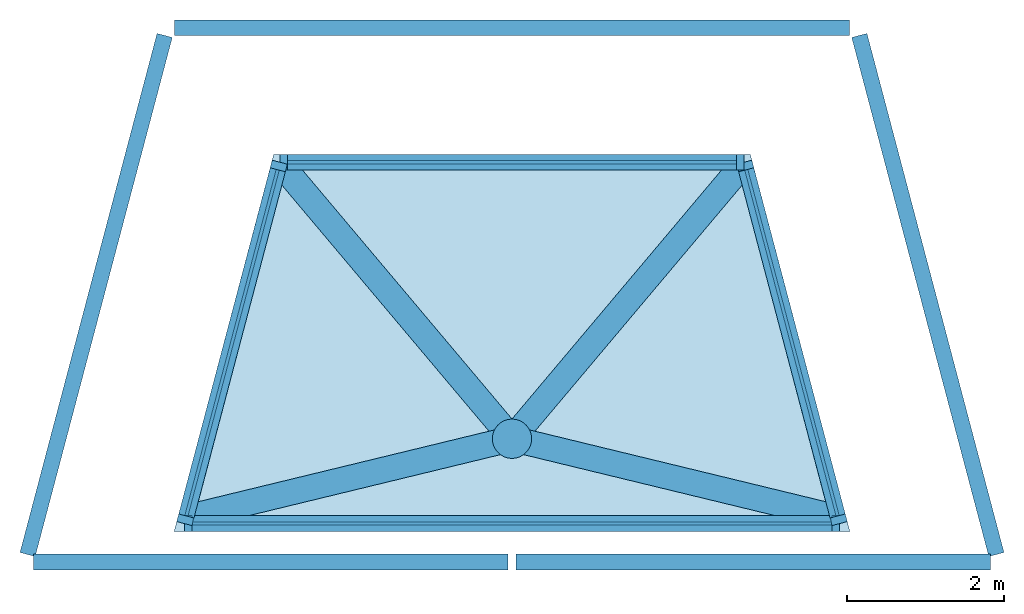
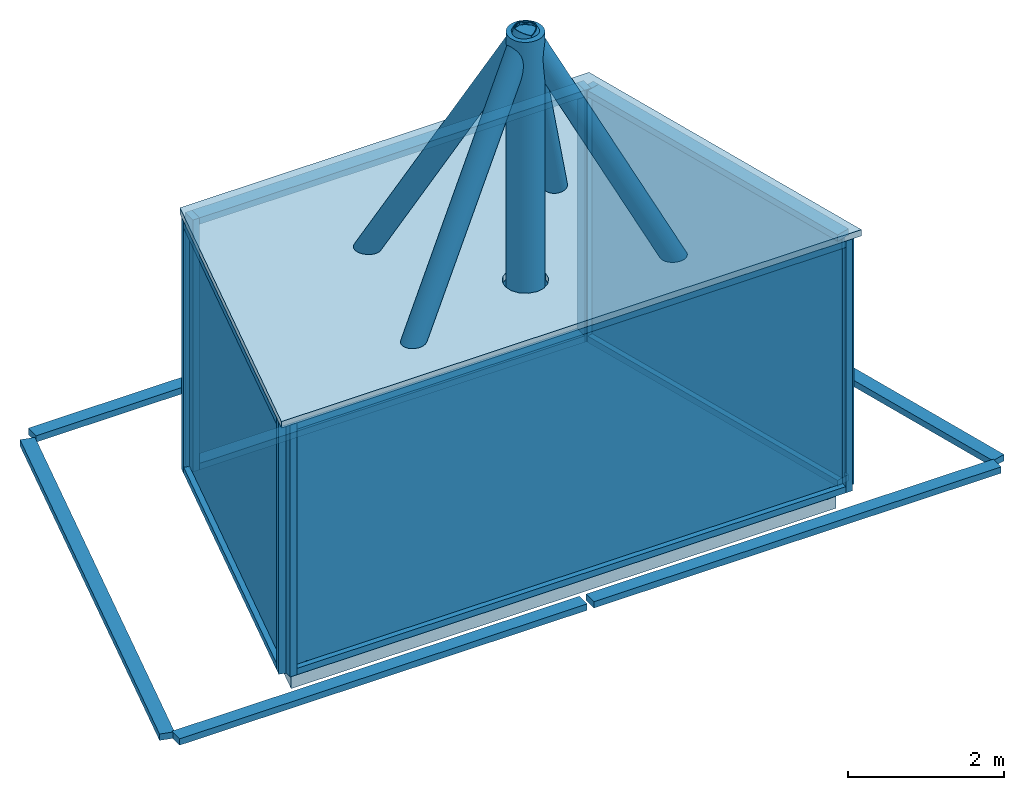
"""IFC4 building model written with IfcOpenShell, lengths in metres."""

from ifc_helpers import new_model, si_unit, direction, frame, origin, origin_2d, place, context, subcontext, project, spatial, polyline, rectangle, circle, hollow_circle, outline, extrude, material, layer, layer_set, material_profile, profile_set, type_object, element, aggregate, save


model = new_model("IFC4")

# Units and contexts
model_context = context("Model", 3, precision=1e-05, world=origin(), true_north=direction((0.0, 1.0)))
body_context = subcontext(model_context, "Body", "Model", "MODEL_VIEW")
ifc_project = project(units=[si_unit("LENGTHUNIT", "METRE"), si_unit("AREAUNIT", "SQUARE_METRE"), si_unit("VOLUMEUNIT", "CUBIC_METRE"), si_unit("PLANEANGLEUNIT", "RADIAN"), si_unit("MASSUNIT", "GRAM", prefix="KILO")], contexts=[model_context])

# Site, building, storey
site_placement = place(None, origin())
site = spatial("IfcSite", under=ifc_project, at=site_placement, CompositionType="ELEMENT")
building_placement = place(site_placement, origin())
building = spatial("IfcBuilding", under=site, at=building_placement, Name="Quipu Civic Tower", CompositionType="ELEMENT")
storey_1_placement = place(building_placement, frame((0.0, 0.0, 396.0)))
storey_1 = spatial("IfcBuildingStorey", under=building, at=storey_1_placement, Name="RF", CompositionType="ELEMENT", Elevation=396.0)

# Members
ifc_material_1 = material(Name="Steel ASTM A500 Grade C (fy 345 MPa)", Category="steel")
ifc_material_profile_1 = material_profile(ifc_material_1, hollow_circle(Radius=0.161865234375, WallThickness=0.0126953125, at=origin_2d()), Name="HSS324x12.7")
ifc_profile_set_1 = profile_set([ifc_material_profile_1], Name="Steel ASTM A500 Grade C (fy 345 MPa)")
member_type_1 = type_object("IfcMemberType", Name="Crown apex leg HSS324x12.7", PredefinedType="BRACE", material=ifc_profile_set_1)
for number, where, z_axis, x_axis, name in (
    (1, (-3.94384765625, -7.056396484375, 0.0), (0.439426265512, 0.106551484586, 0.891936846593), (-0.235649959319, 0.971837999192, 0.0), "Crown apex leg 1"),
    (2, (3.94384765625, -7.056396484375, 0.0), (-0.439426265512, 0.106551484586, 0.891936846593), (-0.235649959319, -0.971837999192, 0.0), "Crown apex leg 2"),
):
    element("IfcMember", number, at=place(storey_1_placement, frame(where, z_axis=z_axis, x_axis=x_axis)), inside=storey_1, type_object=member_type_1, Name=name, PredefinedType="BRACE", context=body_context, shape_type="SweptSolid", body=[
        extrude(hollow_circle(Radius=0.161865234375, WallThickness=0.0126953125, at=origin_2d()), origin(), (0.0, 0.0, 1.0), 8.97509765625),
    ])
for number, where, z_axis, x_axis, name in (
    (3, (2.850341796875, -2.714111328125, 0.0), (-0.311760767974, -0.370347759403, 0.875013005993), (0.765024189855, -0.644001544204, 0.0), "Crown apex leg 3"),
    (4, (-2.850341796875, -2.714111328125, 0.0), (0.311760767974, -0.370347759403, 0.875013005993), (0.765024189855, 0.644001544204, 0.0), "Crown apex leg 4"),
):
    element("IfcMember", number, at=place(storey_1_placement, frame(where, z_axis=z_axis, x_axis=x_axis)), inside=storey_1, type_object=member_type_1, Name=name, PredefinedType="BRACE", context=body_context, shape_type="SweptSolid", body=[
        extrude(hollow_circle(Radius=0.161865234375, WallThickness=0.0126953125, at=origin_2d()), origin(), (0.0, 0.0, 1.0), 9.142822265625),
    ])
ifc_material_2 = material(Name="Steel S355", Category="steel")
ifc_material_profile_2 = material_profile(ifc_material_2, circle(Radius=0.25, at=origin_2d()), Name="CIRCLE 500")
ifc_profile_set_2 = profile_set([ifc_material_profile_2], Name="Steel S355")
member_type_2 = type_object("IfcMemberType", Name="Crown spire", PredefinedType="POST", material=ifc_profile_set_2)
member_1_placement = place(storey_1_placement, frame((0.0, -6.10009765625, 0.0), z_axis=(0.0, 0.0, 1.0), x_axis=(1.0, 0.0, 0.0)))
element("IfcMember", 5, at=member_1_placement, inside=storey_1, type_object=member_type_2, Name="Crown spire", PredefinedType="POST", context=body_context, shape_type="SweptSolid", body=[
    extrude(circle(Radius=0.25, at=origin_2d()), origin(), (0.0, 0.0, 1.0), 8.0),
])

# Curtain wall, members
ifc_material_3 = material(Name="Insulated glass unit", Category="glass")
curtain_wall_type_1 = type_object("IfcCurtainWallType", Name="Crown glass facets CW6", PredefinedType="NOTDEFINED", material=ifc_material_3)
curtain_wall_1_placement = place(storey_1_placement, origin())
curtain_wall_1 = element("IfcCurtainWall", 6, at=curtain_wall_1_placement, inside=storey_1, type_object=curtain_wall_type_1, Name="Crown glass facets CW6 RF run 1", PredefinedType="NOTDEFINED")
ifc_material_4 = material(Name="Anodised aluminium", Category="aluminium")
ifc_material_profile_3 = material_profile(ifc_material_4, rectangle(XDim=0.199951171875, YDim=0.10009765625, at=origin_2d()), Name="RECT 200x100")
ifc_profile_set_3 = profile_set([ifc_material_profile_3], Name="Anodised aluminium")
member_type_3 = type_object("IfcMemberType", Name="Mullion CW6", PredefinedType="MULLION", material=ifc_profile_set_3)
member_2_placement = place(storey_1_placement, frame((-4.120849609375, -7.179931640625, 0.050048828125), z_axis=(0.0, 0.0, 1.0), x_axis=(0.0, 1.0, 0.0)))
member_2 = element("IfcMember", 7, at=member_2_placement, type_object=member_type_3, Name="CW6 mullion 1", PredefinedType="MULLION", context=body_context, shape_type="SweptSolid", body=[
    extrude(rectangle(XDim=0.199951171875, YDim=0.10009765625, at=origin_2d()), origin(), (0.0, 0.0, 1.0), 3.949951171875),
])
member_3_placement = place(storey_1_placement, frame((4.120849609375, -7.179931640625, 0.050048828125), z_axis=(0.0, 0.0, 1.0), x_axis=(0.0, 1.0, 0.0)))
member_3 = element("IfcMember", 8, at=member_3_placement, type_object=member_type_3, Name="CW6 mullion 2", PredefinedType="MULLION", context=body_context, shape_type="SweptSolid", body=[
    extrude(rectangle(XDim=0.199951171875, YDim=0.10009765625, at=origin_2d()), origin(), (0.0, 0.0, 1.0), 3.949951171875),
])

ifc_material_5 = material(Name="Anodised aluminium insulated panel", Category="aluminium")
curtain_wall_type_2 = type_object("IfcCurtainWallType", Name="Insulated infill wall CW6I", PredefinedType="NOTDEFINED", material=ifc_material_5)
curtain_wall_2_placement = place(storey_1_placement, origin())
curtain_wall_2 = element("IfcCurtainWall", 9, at=curtain_wall_2_placement, inside=storey_1, type_object=curtain_wall_type_2, Name="Insulated infill wall CW6I RF run 2", PredefinedType="NOTDEFINED")
ifc_material_6 = material(Name="Anodised aluminium", Category="aluminium")
ifc_material_profile_4 = material_profile(ifc_material_6, rectangle(XDim=0.199951171875, YDim=0.10009765625, at=origin_2d()), Name="RECT 200x100")
ifc_profile_set_4 = profile_set([ifc_material_profile_4], Name="Anodised aluminium")
member_type_4 = type_object("IfcMemberType", Name="Mullion CW6I", PredefinedType="MULLION", material=ifc_profile_set_4)
member_4_placement = place(storey_1_placement, frame((4.157958984375, -7.131591796875, 0.050048828125), z_axis=(0.0, 0.0, 1.0), x_axis=(-0.966853096481, -0.255333291651, 0.0)))
member_4 = element("IfcMember", 10, at=member_4_placement, type_object=member_type_4, Name="CW6I mullion 1", PredefinedType="MULLION", context=body_context, shape_type="SweptSolid", body=[
    extrude(rectangle(XDim=0.199951171875, YDim=0.10009765625, at=origin_2d()), origin(), (0.0, 0.0, 1.0), 3.949951171875),
])
member_5_placement = place(storey_1_placement, frame((2.96875, -2.62841796875, 0.050048828125), z_axis=(0.0, 0.0, 1.0), x_axis=(-0.966853096481, -0.255333291651, 0.0)))
member_5 = element("IfcMember", 11, at=member_5_placement, type_object=member_type_4, Name="CW6I mullion 2", PredefinedType="MULLION", context=body_context, shape_type="SweptSolid", body=[
    extrude(rectangle(XDim=0.199951171875, YDim=0.10009765625, at=origin_2d()), origin(), (0.0, 0.0, 1.0), 3.949951171875),
])

curtain_wall_3_placement = place(storey_1_placement, origin())
curtain_wall_3 = element("IfcCurtainWall", 12, at=curtain_wall_3_placement, inside=storey_1, type_object=curtain_wall_type_2, Name="Insulated infill wall CW6I RF run 3", PredefinedType="NOTDEFINED")
member_6_placement = place(storey_1_placement, frame((2.906005859375, -2.580078125, 0.050048828125), z_axis=(0.0, 0.0, 1.0), x_axis=(0.0, -1.0, 0.0)))
member_6 = element("IfcMember", 13, at=member_6_placement, type_object=member_type_4, Name="CW6I mullion 1", PredefinedType="MULLION", context=body_context, shape_type="SweptSolid", body=[
    extrude(rectangle(XDim=0.199951171875, YDim=0.10009765625, at=origin_2d()), origin(), (0.0, 0.0, 1.0), 3.949951171875),
])
member_7_placement = place(storey_1_placement, frame((-2.906005859375, -2.580078125, 0.050048828125), z_axis=(0.0, 0.0, 1.0), x_axis=(0.0, -1.0, 0.0)))
member_7 = element("IfcMember", 14, at=member_7_placement, type_object=member_type_4, Name="CW6I mullion 2", PredefinedType="MULLION", context=body_context, shape_type="SweptSolid", body=[
    extrude(rectangle(XDim=0.199951171875, YDim=0.10009765625, at=origin_2d()), origin(), (0.0, 0.0, 1.0), 3.949951171875),
])

curtain_wall_4_placement = place(storey_1_placement, origin())
curtain_wall_4 = element("IfcCurtainWall", 15, at=curtain_wall_4_placement, inside=storey_1, type_object=curtain_wall_type_2, Name="Insulated infill wall CW6I RF run 4", PredefinedType="NOTDEFINED")
member_8_placement = place(storey_1_placement, frame((-2.96875, -2.62841796875, 0.050048828125), z_axis=(0.0, 0.0, 1.0), x_axis=(0.966853096481, -0.255333291651, 0.0)))
member_8 = element("IfcMember", 16, at=member_8_placement, type_object=member_type_4, Name="CW6I mullion 1", PredefinedType="MULLION", context=body_context, shape_type="SweptSolid", body=[
    extrude(rectangle(XDim=0.199951171875, YDim=0.10009765625, at=origin_2d()), origin(), (0.0, 0.0, 1.0), 3.949951171875),
])
member_9_placement = place(storey_1_placement, frame((-4.157958984375, -7.131591796875, 0.050048828125), z_axis=(0.0, 0.0, 1.0), x_axis=(0.966853096481, -0.255333291651, 0.0)))
member_9 = element("IfcMember", 17, at=member_9_placement, type_object=member_type_4, Name="CW6I mullion 2", PredefinedType="MULLION", context=body_context, shape_type="SweptSolid", body=[
    extrude(rectangle(XDim=0.199951171875, YDim=0.10009765625, at=origin_2d()), origin(), (0.0, 0.0, 1.0), 3.949951171875),
])

# Storey
storey_2_placement = place(building_placement, frame((0.0, 0.0, 392.0)))
storey_2 = spatial("IfcBuildingStorey", under=building, at=storey_2_placement, Name="L91", CompositionType="ELEMENT", Elevation=392.0)

# Curtain wall, members
curtain_wall_5_placement = place(storey_2_placement, origin())
curtain_wall_5 = element("IfcCurtainWall", 18, at=curtain_wall_5_placement, inside=storey_2, type_object=curtain_wall_type_1, Name="Crown glass facets CW6 L91 run 1", PredefinedType="NOTDEFINED")
ifc_material_7 = material(Name="Anodised aluminium", Category="aluminium")
ifc_material_profile_5 = material_profile(ifc_material_7, rectangle(XDim=0.199951171875, YDim=0.10009765625, at=origin_2d()), Name="RECT 200x100")
ifc_profile_set_5 = profile_set([ifc_material_profile_5], Name="Anodised aluminium")
member_type_5 = type_object("IfcMemberType", Name="Transom CW6", PredefinedType="USERDEFINED", material=ifc_profile_set_5)
member_10_placement = place(storey_1_placement, frame((-6.09130859375, -7.669921875, 0.0), z_axis=(1.0, 0.0, 0.0), x_axis=(0.0, 1.0, 0.0)))
member_10 = element("IfcMember", 19, at=member_10_placement, inside=storey_1, type_object=member_type_5, Name="CW6 transom 1.2", ObjectType="TRANSOM", PredefinedType="USERDEFINED", context=body_context, shape_type="SweptSolid", body=[
    extrude(rectangle(XDim=0.199951171875, YDim=0.10009765625, at=origin_2d()), origin(), (0.0, 0.0, 1.0), 6.041259765625),
])
member_11_placement = place(storey_1_placement, frame((0.050048828125, -7.669921875, 0.0), z_axis=(1.0, 0.0, 0.0), x_axis=(0.0, 1.0, 0.0)))
member_11 = element("IfcMember", 20, at=member_11_placement, inside=storey_1, type_object=member_type_5, Name="CW6 transom 2.2", ObjectType="TRANSOM", PredefinedType="USERDEFINED", context=body_context, shape_type="SweptSolid", body=[
    extrude(rectangle(XDim=0.199951171875, YDim=0.10009765625, at=origin_2d()), origin(), (0.0, 0.0, 1.0), 6.041259765625),
])
aggregate(curtain_wall_5, [member_10, member_11])

# Curtain wall, member
curtain_wall_6_placement = place(storey_2_placement, origin())
curtain_wall_6 = element("IfcCurtainWall", 21, at=curtain_wall_6_placement, inside=storey_2, type_object=curtain_wall_type_1, Name="Crown glass facets CW6 L91 run 3", PredefinedType="NOTDEFINED")
member_12_placement = place(storey_1_placement, frame((4.295654296875, -0.8701171875, 0.0), z_axis=(-1.0, 0.0, 0.0), x_axis=(0.0, -1.0, 0.0)))
member_12 = element("IfcMember", 22, at=member_12_placement, inside=storey_1, type_object=member_type_5, Name="CW6 transom 1.2", ObjectType="TRANSOM", PredefinedType="USERDEFINED", context=body_context, shape_type="SweptSolid", body=[
    extrude(rectangle(XDim=0.199951171875, YDim=0.10009765625, at=origin_2d()), origin(), (0.0, 0.0, 1.0), 8.59130859375),
])
aggregate(curtain_wall_6, [member_12])

# Member
member_13_placement = place(storey_1_placement, frame((-4.07080078125, -7.179931640625, 0.10009765625), z_axis=(1.0, 0.0, 0.0), x_axis=(0.0, 1.0, 0.0)))
member_13 = element("IfcMember", 23, at=member_13_placement, type_object=member_type_5, Name="CW6 transom 1.1", ObjectType="TRANSOM", PredefinedType="USERDEFINED", context=body_context, shape_type="SweptSolid", body=[
    extrude(rectangle(XDim=0.199951171875, YDim=0.10009765625, at=origin_2d()), origin(), (0.0, 0.0, 1.0), 8.1416015625),
])

member_14_placement = place(storey_1_placement, frame((-4.07080078125, -7.179931640625, 3.949951171875), z_axis=(1.0, 0.0, 0.0), x_axis=(0.0, 1.0, 0.0)))
member_14 = element("IfcMember", 24, at=member_14_placement, type_object=member_type_5, Name="CW6 transom 1.2", ObjectType="TRANSOM", PredefinedType="USERDEFINED", context=body_context, shape_type="SweptSolid", body=[
    extrude(rectangle(XDim=0.199951171875, YDim=0.10009765625, at=origin_2d()), origin(), (0.0, 0.0, 1.0), 8.1416015625),
])

# Curtain wall, member
curtain_wall_7_placement = place(storey_2_placement, origin())
curtain_wall_7 = element("IfcCurtainWall", 25, at=curtain_wall_7_placement, inside=storey_2, type_object=curtain_wall_type_2, Name="Insulated infill wall CW6I L91 run 2", PredefinedType="NOTDEFINED")
ifc_material_8 = material(Name="Anodised aluminium", Category="aluminium")
ifc_material_profile_6 = material_profile(ifc_material_8, rectangle(XDim=0.199951171875, YDim=0.10009765625, at=origin_2d()), Name="RECT 200x100")
ifc_profile_set_6 = profile_set([ifc_material_profile_6], Name="Anodised aluminium")
member_type_6 = type_object("IfcMemberType", Name="Transom CW6I", PredefinedType="USERDEFINED", material=ifc_profile_set_6)
member_15_placement = place(storey_1_placement, frame((6.165771484375, -7.5732421875, 0.0), z_axis=(-0.255326843877, 0.966854799231, 0.0), x_axis=(-0.966854799231, -0.255326843877, 0.0)))
member_15 = element("IfcMember", 26, at=member_15_placement, inside=storey_1, type_object=member_type_6, Name="CW6I transom 1.2", ObjectType="TRANSOM", PredefinedType="USERDEFINED", context=body_context, shape_type="SweptSolid", body=[
    extrude(rectangle(XDim=0.199951171875, YDim=0.10009765625, at=origin_2d()), origin(), (0.0, 0.0, 1.0), 6.8330078125),
])
aggregate(curtain_wall_7, [member_15])

curtain_wall_8_placement = place(storey_2_placement, origin())
curtain_wall_8 = element("IfcCurtainWall", 27, at=curtain_wall_8_placement, inside=storey_2, type_object=curtain_wall_type_2, Name="Insulated infill wall CW6I L91 run 4", PredefinedType="NOTDEFINED")
member_16_placement = place(storey_1_placement, frame((-4.421142578125, -0.966796875, 0.0), z_axis=(-0.255326843877, -0.966854799231, 0.0), x_axis=(0.966854799231, -0.255326843877, 0.0)))
member_16 = element("IfcMember", 28, at=member_16_placement, inside=storey_1, type_object=member_type_6, Name="CW6I transom 1.2", ObjectType="TRANSOM", PredefinedType="USERDEFINED", context=body_context, shape_type="SweptSolid", body=[
    extrude(rectangle(XDim=0.199951171875, YDim=0.10009765625, at=origin_2d()), origin(), (0.0, 0.0, 1.0), 6.8330078125),
])
aggregate(curtain_wall_8, [member_16])

# Member
member_17_placement = place(storey_1_placement, frame((4.145263671875, -7.083251953125, 0.10009765625), z_axis=(-0.255358054998, 0.966846556465, 0.0), x_axis=(-0.966846556465, -0.255358054998, 0.0)))
member_17 = element("IfcMember", 29, at=member_17_placement, type_object=member_type_6, Name="CW6I transom 1.1", ObjectType="TRANSOM", PredefinedType="USERDEFINED", context=body_context, shape_type="SweptSolid", body=[
    extrude(rectangle(XDim=0.199951171875, YDim=0.10009765625, at=origin_2d()), origin(), (0.0, 0.0, 1.0), 4.5576171875),
])

member_18_placement = place(storey_1_placement, frame((4.145263671875, -7.083251953125, 3.949951171875), z_axis=(-0.255358054998, 0.966846556465, 0.0), x_axis=(-0.966846556465, -0.255358054998, 0.0)))
member_18 = element("IfcMember", 30, at=member_18_placement, type_object=member_type_6, Name="CW6I transom 1.2", ObjectType="TRANSOM", PredefinedType="USERDEFINED", context=body_context, shape_type="SweptSolid", body=[
    extrude(rectangle(XDim=0.199951171875, YDim=0.10009765625, at=origin_2d()), origin(), (0.0, 0.0, 1.0), 4.5576171875),
])

member_19_placement = place(storey_1_placement, frame((2.85595703125, -2.580078125, 0.10009765625), z_axis=(-1.0, 0.0, 0.0), x_axis=(0.0, -1.0, 0.0)))
member_19 = element("IfcMember", 31, at=member_19_placement, type_object=member_type_6, Name="CW6I transom 1.1", ObjectType="TRANSOM", PredefinedType="USERDEFINED", context=body_context, shape_type="SweptSolid", body=[
    extrude(rectangle(XDim=0.199951171875, YDim=0.10009765625, at=origin_2d()), origin(), (0.0, 0.0, 1.0), 5.7119140625),
])

member_20_placement = place(storey_1_placement, frame((2.85595703125, -2.580078125, 3.949951171875), z_axis=(-1.0, 0.0, 0.0), x_axis=(0.0, -1.0, 0.0)))
member_20 = element("IfcMember", 32, at=member_20_placement, type_object=member_type_6, Name="CW6I transom 1.2", ObjectType="TRANSOM", PredefinedType="USERDEFINED", context=body_context, shape_type="SweptSolid", body=[
    extrude(rectangle(XDim=0.199951171875, YDim=0.10009765625, at=origin_2d()), origin(), (0.0, 0.0, 1.0), 5.7119140625),
])

member_21_placement = place(storey_1_placement, frame((-2.9814453125, -2.6767578125, 0.10009765625), z_axis=(-0.255358054998, -0.966846556465, 0.0), x_axis=(0.966846556465, -0.255358054998, 0.0)))
member_21 = element("IfcMember", 33, at=member_21_placement, type_object=member_type_6, Name="CW6I transom 1.1", ObjectType="TRANSOM", PredefinedType="USERDEFINED", context=body_context, shape_type="SweptSolid", body=[
    extrude(rectangle(XDim=0.199951171875, YDim=0.10009765625, at=origin_2d()), origin(), (0.0, 0.0, 1.0), 4.5576171875),
])

member_22_placement = place(storey_1_placement, frame((-2.9814453125, -2.6767578125, 3.949951171875), z_axis=(-0.255358054998, -0.966846556465, 0.0), x_axis=(0.966846556465, -0.255358054998, 0.0)))
member_22 = element("IfcMember", 34, at=member_22_placement, type_object=member_type_6, Name="CW6I transom 1.2", ObjectType="TRANSOM", PredefinedType="USERDEFINED", context=body_context, shape_type="SweptSolid", body=[
    extrude(rectangle(XDim=0.199951171875, YDim=0.10009765625, at=origin_2d()), origin(), (0.0, 0.0, 1.0), 4.5576171875),
])

# Plate
ifc_material_9 = material(Name="Insulated glass unit", Category="glass")
ifc_layer_1 = layer(ifc_material_9, 0.0400390625)
ifc_layer_set_1 = layer_set([ifc_layer_1], Name="Insulated glass unit")
plate_type_1 = type_object("IfcPlateType", Name="Glass panel CW6", PredefinedType="CURTAIN_PANEL", material=ifc_layer_set_1)
plate_1_placement = place(storey_1_placement, frame((0.0, -7.179931640625, 0.14990234375), z_axis=(0.0, 0.0, 1.0), x_axis=(1.0, 0.0, 0.0)))
plate_1 = element("IfcPlate", 35, at=plate_1_placement, type_object=plate_type_1, Name="CW6 panel 1.1", PredefinedType="CURTAIN_PANEL", context=body_context, shape_type="SweptSolid", body=[
    extrude(rectangle(XDim=8.1416015625, YDim=0.0400390625, at=origin_2d()), origin(), (0.0, 0.0, 1.0), 3.75),
])

aggregate(curtain_wall_1, [member_2, member_3, member_13, member_14, plate_1])

ifc_material_10 = material(Name="Anodised aluminium insulated panel", Category="aluminium")
ifc_layer_2 = layer(ifc_material_10, 0.0400390625)
ifc_layer_set_2 = layer_set([ifc_layer_2], Name="Anodised aluminium insulated panel")
plate_type_2 = type_object("IfcPlateType", Name="Insulated panel CW6I", PredefinedType="CURTAIN_PANEL", material=ifc_layer_set_2)
plate_2_placement = place(storey_1_placement, frame((3.5634765625, -4.8798828125, 0.14990234375), z_axis=(0.0, 0.0, 1.0), x_axis=(-0.255333291651, 0.966853096481, 0.0)))
plate_2 = element("IfcPlate", 36, at=plate_2_placement, type_object=plate_type_2, Name="CW6I panel 1.1", PredefinedType="CURTAIN_PANEL", context=body_context, shape_type="SweptSolid", body=[
    extrude(rectangle(XDim=4.5576171875, YDim=0.0400390625, at=origin_2d()), origin(), (0.0, 0.0, 1.0), 3.75),
])

aggregate(curtain_wall_2, [member_4, member_5, member_17, member_18, plate_2])

plate_3_placement = place(storey_1_placement, frame((0.0, -2.580078125, 0.14990234375), z_axis=(0.0, 0.0, 1.0), x_axis=(-1.0, 0.0, 0.0)))
plate_3 = element("IfcPlate", 37, at=plate_3_placement, type_object=plate_type_2, Name="CW6I panel 1.1", PredefinedType="CURTAIN_PANEL", context=body_context, shape_type="SweptSolid", body=[
    extrude(rectangle(XDim=5.7119140625, YDim=0.0400390625, at=origin_2d()), origin(), (0.0, 0.0, 1.0), 3.75),
])

aggregate(curtain_wall_3, [member_6, member_7, member_19, member_20, plate_3])

plate_4_placement = place(storey_1_placement, frame((-3.5634765625, -4.8798828125, 0.14990234375), z_axis=(0.0, 0.0, 1.0), x_axis=(-0.255333291651, -0.966853096481, 0.0)))
plate_4 = element("IfcPlate", 38, at=plate_4_placement, type_object=plate_type_2, Name="CW6I panel 1.1", PredefinedType="CURTAIN_PANEL", context=body_context, shape_type="SweptSolid", body=[
    extrude(rectangle(XDim=4.5576171875, YDim=0.0400390625, at=origin_2d()), origin(), (0.0, 0.0, 1.0), 3.75),
])

aggregate(curtain_wall_4, [member_8, member_9, member_21, member_22, plate_4])

ifc_material_11 = material(Name="Insulated glass unit", Category="glass")
ifc_layer_3 = layer(ifc_material_11, 0.10009765625)
ifc_layer_set_3 = layer_set([ifc_layer_3], Name="Insulated glass unit")
plate_type_3 = type_object("IfcPlateType", Name="Lantern roof glass", PredefinedType="SHEET", material=ifc_layer_set_3)
plate_5_placement = place(storey_1_placement, frame((0.0, 0.0, 4.0)))
element("IfcPlate", 39, at=plate_5_placement, inside=storey_1, type_object=plate_type_3, Name="Lantern roof glass", PredefinedType="SHEET", context=body_context, shape_type="SweptSolid", body=[
    extrude(outline(polyline([(-4.300537109375, -7.280029296875), (-3.033203125, -2.47998046875), (3.033203125, -2.47998046875), (4.300537109375, -7.280029296875), (-4.300537109375, -7.280029296875)]), holes=[polyline([(0.300048828125, -6.10009765625), (0.277099609375, -5.985107421875), (0.212158203125, -5.887939453125), (0.11474609375, -5.82275390625), (0.0, -5.800048828125), (-0.11474609375, -5.82275390625), (-0.212158203125, -5.887939453125), (-0.277099609375, -5.985107421875), (-0.300048828125, -6.10009765625), (-0.277099609375, -6.21484375), (-0.212158203125, -6.31201171875), (-0.11474609375, -6.377197265625), (0.0, -6.39990234375), (0.11474609375, -6.377197265625), (0.212158203125, -6.31201171875), (0.277099609375, -6.21484375), (0.300048828125, -6.10009765625)])]), origin(), (0.0, 0.0, 1.0), 0.10009765625),
])

# Slab
ifc_material_12 = material(Name="Concrete C40/50", Category="concrete")
ifc_layer_4 = layer(ifc_material_12, 0.300048828125)
ifc_layer_set_4 = layer_set([ifc_layer_4], Name="Concrete C40/50")
slab_type = type_object("IfcSlabType", Name="Roof cap slab 300 C40/50", PredefinedType="ROOF", material=ifc_layer_set_4)
slab_placement = place(storey_1_placement, frame((0.0, 0.0, -0.300048828125)))
element("IfcSlab", 40, at=slab_placement, inside=storey_1, type_object=slab_type, Name="Roof cap slab", PredefinedType="ROOF", context=body_context, shape_type="SweptSolid", body=[
    extrude(outline(polyline([(-2.8798828125, -2.679931640625), (2.8798828125, -2.679931640625), (4.0400390625, -7.080078125), (-4.0400390625, -7.080078125), (-2.8798828125, -2.679931640625)])), origin(), (0.0, 0.0, 1.0), 0.300048828125),
])

save(model, "model.ifc")
